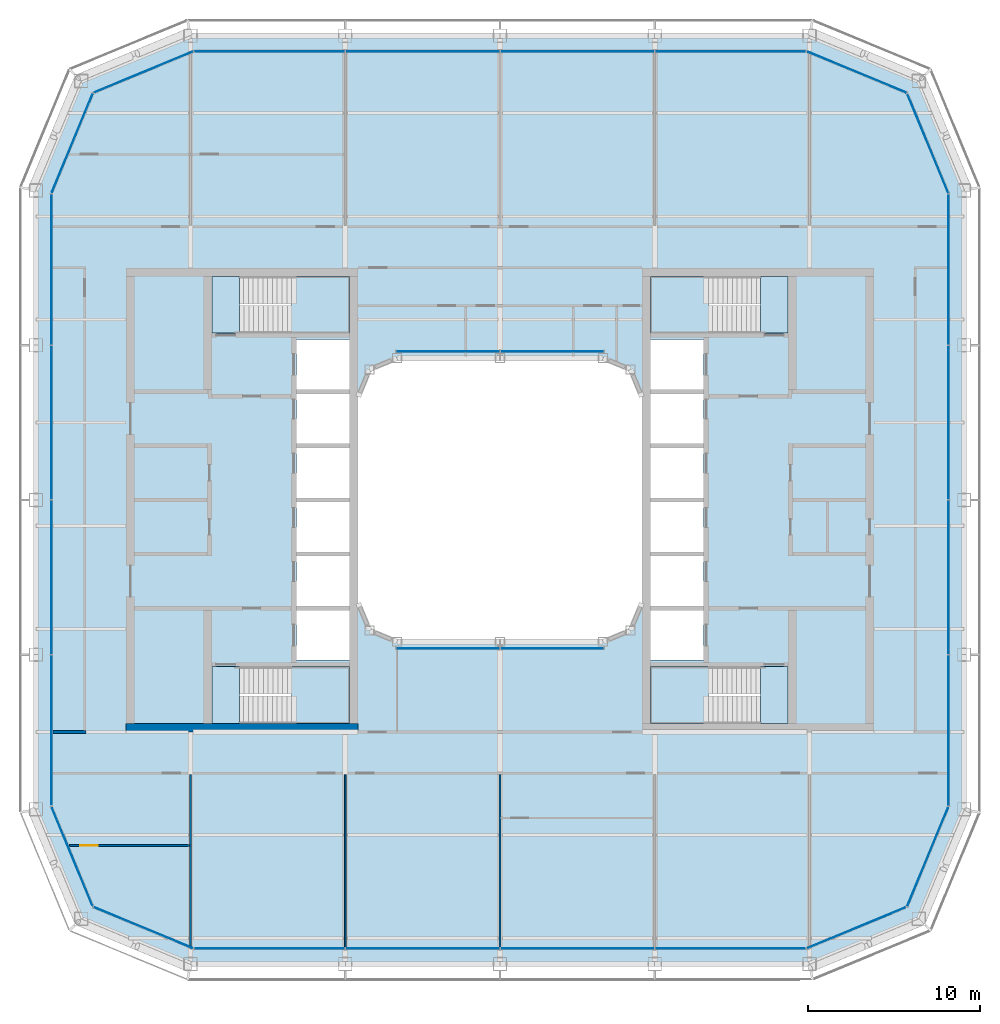
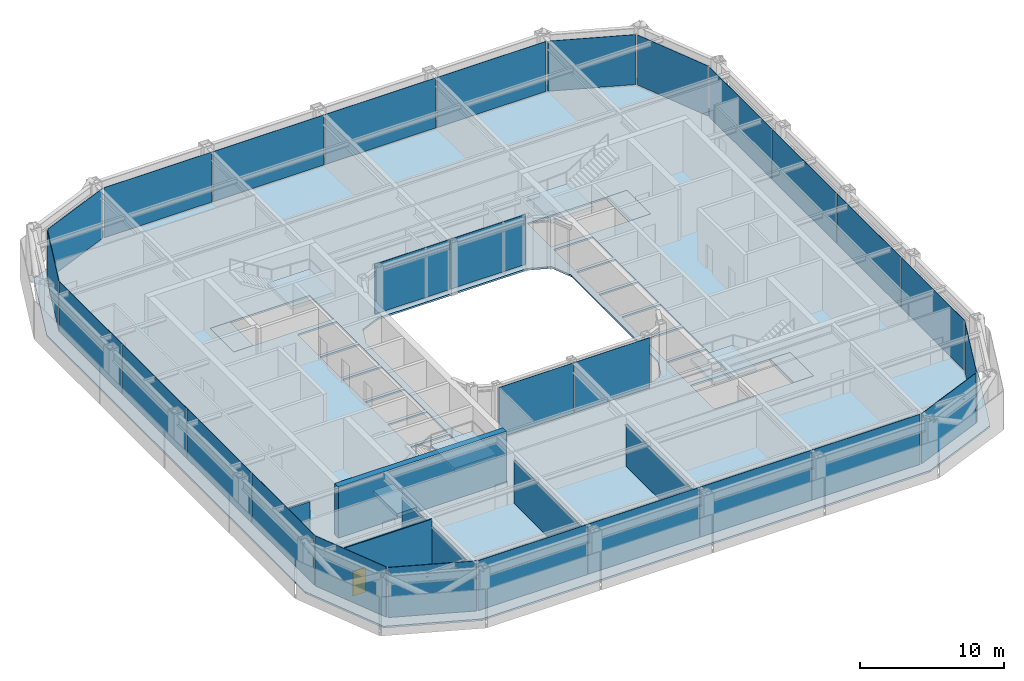
# One storey, part 11 of 19: 28 plates, 9 slabs, 6 walls, 1 door, 1 opening, 18 elements without a shape of their own.
"""IFC4 building model written with IfcOpenShell, lengths in metres."""

from ifc_helpers import new_model, si_unit, direction, frame, frame_2d, origin, origin_2d, place, context, subcontext, project, spatial, polyline, rectangle, outline, extrude, material, layer, layer_set, type_object, element, fill, aggregate, save


model = new_model("IFC4")

# Units and contexts
model_context = context("Model", 3, precision=1e-05, world=origin(), true_north=direction((0.0, 1.0)))
body_context = subcontext(model_context, "Body", "Model", "MODEL_VIEW")
ifc_project = project(units=[si_unit("LENGTHUNIT", "METRE"), si_unit("AREAUNIT", "SQUARE_METRE"), si_unit("VOLUMEUNIT", "CUBIC_METRE"), si_unit("PLANEANGLEUNIT", "RADIAN"), si_unit("MASSUNIT", "GRAM", prefix="KILO")], contexts=[model_context])

# Site, building, storey
site_placement = place(None, origin())
site = spatial("IfcSite", under=ifc_project, at=site_placement, CompositionType="ELEMENT")
building_placement = place(site_placement, origin())
building = spatial("IfcBuilding", under=site, at=building_placement, Name="Siwar Civic Tower", CompositionType="ELEMENT")
storey_placement = place(building_placement, frame((0.0, 0.0, 246.699951171875)))
storey = spatial("IfcBuildingStorey", under=building, at=storey_placement, Name="L53", CompositionType="ELEMENT", Elevation=246.699951171875)

# Stair, slabs
ifc_material_1 = material(Name="Concrete C40/50", Category="concrete")
stair_type = type_object("IfcStairType", Name="CORE-STAIR", PredefinedType="TWO_STRAIGHT_RUN_STAIR", material=ifc_material_1)
stair_1_placement = place(storey_placement, origin())
stair_1 = element("IfcStair", 1, at=stair_1_placement, inside=storey, type_object=stair_type, Name="Exit stair ST1", PredefinedType="TWO_STRAIGHT_RUN_STAIR")
ifc_material_2 = material(Name="Concrete C40/50", Category="concrete")
ifc_layer_1 = layer(ifc_material_2, 0.300048828125)
ifc_layer_set_1 = layer_set([ifc_layer_1], Name="Concrete C40/50")
slab_type_1 = type_object("IfcSlabType", Name="CORE-STAIR-LANDING", PredefinedType="LANDING", material=ifc_layer_set_1)
slab_1_placement = place(storey_placement, frame((0.0, 0.0, -0.300048828125)))
slab_1 = element("IfcSlab", 2, at=slab_1_placement, type_object=slab_type_1, Name="ST1 landing 1", PredefinedType="LANDING", context=body_context, shape_type="SweptSolid", body=[
    extrude(outline(polyline([(-15.14990234375, 13.0), (-16.75, 13.0), (-16.75, 9.699951171875), (-15.14990234375, 9.699951171875), (-15.14990234375, 13.0)])), origin(), (0.0, 0.0, 1.0), 0.300048828125),
])
slab_2_placement = place(storey_placement, frame((0.0, 0.0, 1.949951171875)))
slab_2 = element("IfcSlab", 3, at=slab_2_placement, type_object=slab_type_1, Name="ST1 landing 2", PredefinedType="LANDING", context=body_context, shape_type="SweptSolid", body=[
    extrude(outline(polyline([(-8.75, 13.0), (-12.139892578125, 13.0), (-12.139892578125, 9.699951171875), (-8.75, 9.699951171875), (-8.75, 13.0)])), origin(), (0.0, 0.0, 1.0), 0.300048828125),
])
aggregate(stair_1, [slab_1, slab_2])

stair_2_placement = place(storey_placement, origin())
stair_2 = element("IfcStair", 4, at=stair_2_placement, inside=storey, type_object=stair_type, Name="Exit stair ST2", PredefinedType="TWO_STRAIGHT_RUN_STAIR")
slab_3_placement = place(storey_placement, frame((0.0, 0.0, -0.300048828125)))
slab_3 = element("IfcSlab", 5, at=slab_3_placement, type_object=slab_type_1, Name="ST2 landing 1", PredefinedType="LANDING", context=body_context, shape_type="SweptSolid", body=[
    extrude(outline(polyline([(-15.14990234375, -9.699951171875), (-16.75, -9.699951171875), (-16.75, -13.0), (-15.14990234375, -13.0), (-15.14990234375, -9.699951171875)])), origin(), (0.0, 0.0, 1.0), 0.300048828125),
])
slab_4_placement = place(storey_placement, frame((0.0, 0.0, 1.949951171875)))
slab_4 = element("IfcSlab", 6, at=slab_4_placement, type_object=slab_type_1, Name="ST2 landing 2", PredefinedType="LANDING", context=body_context, shape_type="SweptSolid", body=[
    extrude(outline(polyline([(-8.75, -9.699951171875), (-12.139892578125, -9.699951171875), (-12.139892578125, -13.0), (-8.75, -13.0), (-8.75, -9.699951171875)])), origin(), (0.0, 0.0, 1.0), 0.300048828125),
])
aggregate(stair_2, [slab_3, slab_4])

stair_3_placement = place(storey_placement, origin())
stair_3 = element("IfcStair", 7, at=stair_3_placement, inside=storey, type_object=stair_type, Name="Exit stair ST3", PredefinedType="TWO_STRAIGHT_RUN_STAIR")
slab_5_placement = place(storey_placement, frame((0.0, 0.0, -0.300048828125)))
slab_5 = element("IfcSlab", 8, at=slab_5_placement, type_object=slab_type_1, Name="ST3 landing 1", PredefinedType="LANDING", context=body_context, shape_type="SweptSolid", body=[
    extrude(outline(polyline([(15.14990234375, 9.699951171875), (16.75, 9.699951171875), (16.75, 13.0), (15.14990234375, 13.0), (15.14990234375, 9.699951171875)])), origin(), (0.0, 0.0, 1.0), 0.300048828125),
])
slab_6_placement = place(storey_placement, frame((0.0, 0.0, 1.949951171875)))
slab_6 = element("IfcSlab", 9, at=slab_6_placement, type_object=slab_type_1, Name="ST3 landing 2", PredefinedType="LANDING", context=body_context, shape_type="SweptSolid", body=[
    extrude(outline(polyline([(8.75, 9.699951171875), (12.139892578125, 9.699951171875), (12.139892578125, 13.0), (8.75, 13.0), (8.75, 9.699951171875)])), origin(), (0.0, 0.0, 1.0), 0.300048828125),
])
aggregate(stair_3, [slab_5, slab_6])

stair_4_placement = place(storey_placement, origin())
stair_4 = element("IfcStair", 10, at=stair_4_placement, inside=storey, type_object=stair_type, Name="Exit stair ST4", PredefinedType="TWO_STRAIGHT_RUN_STAIR")
slab_7_placement = place(storey_placement, frame((0.0, 0.0, -0.300048828125)))
slab_7 = element("IfcSlab", 11, at=slab_7_placement, type_object=slab_type_1, Name="ST4 landing 1", PredefinedType="LANDING", context=body_context, shape_type="SweptSolid", body=[
    extrude(outline(polyline([(15.14990234375, -13.0), (16.75, -13.0), (16.75, -9.699951171875), (15.14990234375, -9.699951171875), (15.14990234375, -13.0)])), origin(), (0.0, 0.0, 1.0), 0.300048828125),
])
slab_8_placement = place(storey_placement, frame((0.0, 0.0, 1.949951171875)))
slab_8 = element("IfcSlab", 12, at=slab_8_placement, type_object=slab_type_1, Name="ST4 landing 2", PredefinedType="LANDING", context=body_context, shape_type="SweptSolid", body=[
    extrude(outline(polyline([(8.75, -13.0), (12.139892578125, -13.0), (12.139892578125, -9.699951171875), (8.75, -9.699951171875), (8.75, -13.0)])), origin(), (0.0, 0.0, 1.0), 0.300048828125),
])
aggregate(stair_4, [slab_7, slab_8])

# Curtain wall, plates
ifc_material_3 = material(Name="Aluminium and glass", Category="aluminium")
ifc_layer_2 = layer(ifc_material_3, 0.179931640625)
ifc_layer_set_2 = layer_set([ifc_layer_2], Name="Aluminium and glass")
curtain_wall_type_1 = type_object("IfcCurtainWallType", Name="ENV-CW-C", PredefinedType="NOTDEFINED", material=ifc_layer_set_2)
curtain_wall_1_placement = place(storey_placement, origin())
curtain_wall_1 = element("IfcCurtainWall", 13, at=curtain_wall_1_placement, inside=storey, type_object=curtain_wall_type_1, Name="Curtain wall C S", PredefinedType="NOTDEFINED")
ifc_material_4 = material(Name="Glass clear laminated", Category="glass")
ifc_layer_3 = layer(ifc_material_4, 0.031982421875)
ifc_layer_set_3 = layer_set([ifc_layer_3], Name="Glass clear laminated")
plate_type_1 = type_object("IfcPlateType", Name="ENV-PANEL-C", PredefinedType="CURTAIN_PANEL", material=ifc_layer_set_3)
plate_1_placement = place(storey_placement, frame((-13.410400390625, -26.10009765625, 0.10009765625), z_axis=(0.0, 0.0, 1.0), x_axis=(1.0, 0.0, 0.0)))
plate_1 = element("IfcPlate", 14, at=plate_1_placement, type_object=plate_type_1, Name="Curtain panel C S 1", PredefinedType="CURTAIN_PANEL", context=body_context, shape_type="SweptSolid", body=[
    extrude(rectangle(XDim=8.760986328125, YDim=0.031982421875, at=origin_2d()), origin(), (0.0, 0.0, 1.0), 4.25),
])
plate_2_placement = place(storey_placement, frame((-4.5, -26.10009765625, 0.10009765625), z_axis=(0.0, 0.0, 1.0), x_axis=(1.0, 0.0, 0.0)))
plate_2 = element("IfcPlate", 15, at=plate_2_placement, type_object=plate_type_1, Name="Curtain panel C S 2", PredefinedType="CURTAIN_PANEL", context=body_context, shape_type="SweptSolid", body=[
    extrude(rectangle(XDim=8.93994140625, YDim=0.031982421875, at=origin_2d()), origin(), (0.0, 0.0, 1.0), 4.25),
])
plate_3_placement = place(storey_placement, frame((4.5, -26.10009765625, 0.10009765625), z_axis=(0.0, 0.0, 1.0), x_axis=(1.0, 0.0, 0.0)))
plate_3 = element("IfcPlate", 16, at=plate_3_placement, type_object=plate_type_1, Name="Curtain panel C S 3", PredefinedType="CURTAIN_PANEL", context=body_context, shape_type="SweptSolid", body=[
    extrude(rectangle(XDim=8.93994140625, YDim=0.031982421875, at=origin_2d()), origin(), (0.0, 0.0, 1.0), 4.25),
])
plate_4_placement = place(storey_placement, frame((13.373046875, -26.10009765625, 0.10009765625), z_axis=(0.0, 0.0, 1.0), x_axis=(1.0, 0.0, 0.0)))
plate_4 = element("IfcPlate", 17, at=plate_4_placement, type_object=plate_type_1, Name="Curtain panel C S 4", PredefinedType="CURTAIN_PANEL", context=body_context, shape_type="SweptSolid", body=[
    extrude(rectangle(XDim=8.68603515625, YDim=0.031982421875, at=origin_2d()), origin(), (0.0, 0.0, 1.0), 4.25),
])
aggregate(curtain_wall_1, [plate_1, plate_2, plate_3, plate_4])

curtain_wall_2_placement = place(storey_placement, origin())
curtain_wall_2 = element("IfcCurtainWall", 18, at=curtain_wall_2_placement, inside=storey, type_object=curtain_wall_type_1, Name="Curtain wall C E", PredefinedType="NOTDEFINED")
plate_5_placement = place(storey_placement, frame((26.10009765625, -13.410400390625, 0.10009765625), z_axis=(0.0, 0.0, 1.0), x_axis=(0.0, 1.0, 0.0)))
plate_5 = element("IfcPlate", 19, at=plate_5_placement, type_object=plate_type_1, Name="Curtain panel C E 1", PredefinedType="CURTAIN_PANEL", context=body_context, shape_type="SweptSolid", body=[
    extrude(rectangle(XDim=8.760986328125, YDim=0.031982421875, at=origin_2d()), origin(), (0.0, 0.0, 1.0), 4.25),
])
plate_6_placement = place(storey_placement, frame((26.10009765625, -4.5, 0.10009765625), z_axis=(0.0, 0.0, 1.0), x_axis=(0.0, 1.0, 0.0)))
plate_6 = element("IfcPlate", 20, at=plate_6_placement, type_object=plate_type_1, Name="Curtain panel C E 2", PredefinedType="CURTAIN_PANEL", context=body_context, shape_type="SweptSolid", body=[
    extrude(rectangle(XDim=8.93994140625, YDim=0.031982421875, at=origin_2d()), origin(), (0.0, 0.0, 1.0), 4.25),
])
plate_7_placement = place(storey_placement, frame((26.10009765625, 4.5, 0.10009765625), z_axis=(0.0, 0.0, 1.0), x_axis=(0.0, 1.0, 0.0)))
plate_7 = element("IfcPlate", 21, at=plate_7_placement, type_object=plate_type_1, Name="Curtain panel C E 3", PredefinedType="CURTAIN_PANEL", context=body_context, shape_type="SweptSolid", body=[
    extrude(rectangle(XDim=8.93994140625, YDim=0.031982421875, at=origin_2d()), origin(), (0.0, 0.0, 1.0), 4.25),
])
plate_8_placement = place(storey_placement, frame((26.10009765625, 13.373046875, 0.10009765625), z_axis=(0.0, 0.0, 1.0), x_axis=(0.0, 1.0, 0.0)))
plate_8 = element("IfcPlate", 22, at=plate_8_placement, type_object=plate_type_1, Name="Curtain panel C E 4", PredefinedType="CURTAIN_PANEL", context=body_context, shape_type="SweptSolid", body=[
    extrude(rectangle(XDim=8.68603515625, YDim=0.031982421875, at=origin_2d()), origin(), (0.0, 0.0, 1.0), 4.25),
])
aggregate(curtain_wall_2, [plate_5, plate_6, plate_7, plate_8])

curtain_wall_3_placement = place(storey_placement, origin())
curtain_wall_3 = element("IfcCurtainWall", 23, at=curtain_wall_3_placement, inside=storey, type_object=curtain_wall_type_1, Name="Curtain wall C N", PredefinedType="NOTDEFINED")
plate_9_placement = place(storey_placement, frame((13.410400390625, 26.10009765625, 0.10009765625), z_axis=(0.0, 0.0, 1.0), x_axis=(-1.0, 0.0, 0.0)))
plate_9 = element("IfcPlate", 24, at=plate_9_placement, type_object=plate_type_1, Name="Curtain panel C N 1", PredefinedType="CURTAIN_PANEL", context=body_context, shape_type="SweptSolid", body=[
    extrude(rectangle(XDim=8.760986328125, YDim=0.031982421875, at=origin_2d()), origin(), (0.0, 0.0, 1.0), 4.25),
])
plate_10_placement = place(storey_placement, frame((4.5, 26.10009765625, 0.10009765625), z_axis=(0.0, 0.0, 1.0), x_axis=(-1.0, 0.0, 0.0)))
plate_10 = element("IfcPlate", 25, at=plate_10_placement, type_object=plate_type_1, Name="Curtain panel C N 2", PredefinedType="CURTAIN_PANEL", context=body_context, shape_type="SweptSolid", body=[
    extrude(rectangle(XDim=8.93994140625, YDim=0.031982421875, at=origin_2d()), origin(), (0.0, 0.0, 1.0), 4.25),
])
plate_11_placement = place(storey_placement, frame((-4.5, 26.10009765625, 0.10009765625), z_axis=(0.0, 0.0, 1.0), x_axis=(-1.0, 0.0, 0.0)))
plate_11 = element("IfcPlate", 26, at=plate_11_placement, type_object=plate_type_1, Name="Curtain panel C N 3", PredefinedType="CURTAIN_PANEL", context=body_context, shape_type="SweptSolid", body=[
    extrude(rectangle(XDim=8.93994140625, YDim=0.031982421875, at=origin_2d()), origin(), (0.0, 0.0, 1.0), 4.25),
])
plate_12_placement = place(storey_placement, frame((-13.373046875, 26.10009765625, 0.10009765625), z_axis=(0.0, 0.0, 1.0), x_axis=(-1.0, 0.0, 0.0)))
plate_12 = element("IfcPlate", 27, at=plate_12_placement, type_object=plate_type_1, Name="Curtain panel C N 4", PredefinedType="CURTAIN_PANEL", context=body_context, shape_type="SweptSolid", body=[
    extrude(rectangle(XDim=8.68603515625, YDim=0.031982421875, at=origin_2d()), origin(), (0.0, 0.0, 1.0), 4.25),
])
aggregate(curtain_wall_3, [plate_9, plate_10, plate_11, plate_12])

curtain_wall_4_placement = place(storey_placement, origin())
curtain_wall_4 = element("IfcCurtainWall", 28, at=curtain_wall_4_placement, inside=storey, type_object=curtain_wall_type_1, Name="Curtain wall C W", PredefinedType="NOTDEFINED")
plate_13_placement = place(storey_placement, frame((-26.10009765625, 13.410400390625, 0.10009765625), z_axis=(0.0, 0.0, 1.0), x_axis=(0.0, -1.0, 0.0)))
plate_13 = element("IfcPlate", 29, at=plate_13_placement, type_object=plate_type_1, Name="Curtain panel C W 1", PredefinedType="CURTAIN_PANEL", context=body_context, shape_type="SweptSolid", body=[
    extrude(rectangle(XDim=8.760986328125, YDim=0.031982421875, at=origin_2d()), origin(), (0.0, 0.0, 1.0), 4.25),
])
plate_14_placement = place(storey_placement, frame((-26.10009765625, 4.5, 0.10009765625), z_axis=(0.0, 0.0, 1.0), x_axis=(0.0, -1.0, 0.0)))
plate_14 = element("IfcPlate", 30, at=plate_14_placement, type_object=plate_type_1, Name="Curtain panel C W 2", PredefinedType="CURTAIN_PANEL", context=body_context, shape_type="SweptSolid", body=[
    extrude(rectangle(XDim=8.93994140625, YDim=0.031982421875, at=origin_2d()), origin(), (0.0, 0.0, 1.0), 4.25),
])
plate_15_placement = place(storey_placement, frame((-26.10009765625, -4.5, 0.10009765625), z_axis=(0.0, 0.0, 1.0), x_axis=(0.0, -1.0, 0.0)))
plate_15 = element("IfcPlate", 31, at=plate_15_placement, type_object=plate_type_1, Name="Curtain panel C W 3", PredefinedType="CURTAIN_PANEL", context=body_context, shape_type="SweptSolid", body=[
    extrude(rectangle(XDim=8.93994140625, YDim=0.031982421875, at=origin_2d()), origin(), (0.0, 0.0, 1.0), 4.25),
])
plate_16_placement = place(storey_placement, frame((-26.10009765625, -13.373046875, 0.10009765625), z_axis=(0.0, 0.0, 1.0), x_axis=(0.0, -1.0, 0.0)))
plate_16 = element("IfcPlate", 32, at=plate_16_placement, type_object=plate_type_1, Name="Curtain panel C W 4", PredefinedType="CURTAIN_PANEL", context=body_context, shape_type="SweptSolid", body=[
    extrude(rectangle(XDim=8.68603515625, YDim=0.031982421875, at=origin_2d()), origin(), (0.0, 0.0, 1.0), 4.25),
])
aggregate(curtain_wall_4, [plate_13, plate_14, plate_15, plate_16])

# Curtain wall, plate
ifc_material_5 = material(Name="Aluminium clad insulated panel", Category="aluminium")
ifc_layer_4 = layer(ifc_material_5, 0.179931640625)
ifc_layer_set_4 = layer_set([ifc_layer_4], Name="Aluminium clad insulated panel")
curtain_wall_type_2 = type_object("IfcCurtainWallType", Name="ENV-CW-CX", PredefinedType="NOTDEFINED", material=ifc_layer_set_4)
curtain_wall_5_placement = place(storey_placement, origin())
curtain_wall_5 = element("IfcCurtainWall", 33, at=curtain_wall_5_placement, inside=storey, type_object=curtain_wall_type_2, Name="Curtain wall C SE1", PredefinedType="NOTDEFINED")
ifc_material_6 = material(Name="Aluminium clad insulated panel", Category="aluminium")
ifc_layer_5 = layer(ifc_material_6, 0.031982421875)
ifc_layer_set_5 = layer_set([ifc_layer_5], Name="Aluminium clad insulated panel")
plate_type_2 = type_object("IfcPlateType", Name="ENV-PANEL-CX", PredefinedType="CURTAIN_PANEL", material=ifc_layer_set_5)
plate_17_placement = place(storey_placement, frame((20.71337890625, -24.90185546875, 0.10009765625), z_axis=(0.0, 0.0, 1.0), x_axis=(0.923879532511, 0.382683432365, 0.0)))
plate_17 = element("IfcPlate", 34, at=plate_17_placement, type_object=plate_type_2, Name="Curtain panel C SE1 1", PredefinedType="CURTAIN_PANEL", context=body_context, shape_type="SweptSolid", body=[
    extrude(rectangle(XDim=6.20166015625, YDim=0.031982421875, at=origin_2d()), origin(), (0.0, 0.0, 1.0), 4.25),
])
aggregate(curtain_wall_5, [plate_17])

curtain_wall_6_placement = place(storey_placement, origin())
curtain_wall_6 = element("IfcCurtainWall", 35, at=curtain_wall_6_placement, inside=storey, type_object=curtain_wall_type_2, Name="Curtain wall C SE2", PredefinedType="NOTDEFINED")
plate_18_placement = place(storey_placement, frame((24.873291015625, -20.78271484375, 0.10009765625), z_axis=(0.0, 0.0, 1.0), x_axis=(0.382683432365, 0.923879532511, 0.0)))
plate_18 = element("IfcPlate", 36, at=plate_18_placement, type_object=plate_type_2, Name="Curtain panel C SE2 1", PredefinedType="CURTAIN_PANEL", context=body_context, shape_type="SweptSolid", body=[
    extrude(rectangle(XDim=6.20166015625, YDim=0.031982421875, at=origin_2d()), origin(), (0.0, 0.0, 1.0), 4.25),
])
aggregate(curtain_wall_6, [plate_18])

curtain_wall_7_placement = place(storey_placement, origin())
curtain_wall_7 = element("IfcCurtainWall", 37, at=curtain_wall_7_placement, inside=storey, type_object=curtain_wall_type_2, Name="Curtain wall C NE1", PredefinedType="NOTDEFINED")
plate_19_placement = place(storey_placement, frame((24.90185546875, 20.71337890625, 0.10009765625), z_axis=(0.0, 0.0, 1.0), x_axis=(-0.382683432365, 0.923879532511, 0.0)))
plate_19 = element("IfcPlate", 38, at=plate_19_placement, type_object=plate_type_2, Name="Curtain panel C NE1 1", PredefinedType="CURTAIN_PANEL", context=body_context, shape_type="SweptSolid", body=[
    extrude(rectangle(XDim=6.20166015625, YDim=0.031982421875, at=origin_2d()), origin(), (0.0, 0.0, 1.0), 4.25),
])
aggregate(curtain_wall_7, [plate_19])

curtain_wall_8_placement = place(storey_placement, origin())
curtain_wall_8 = element("IfcCurtainWall", 39, at=curtain_wall_8_placement, inside=storey, type_object=curtain_wall_type_2, Name="Curtain wall C NE2", PredefinedType="NOTDEFINED")
plate_20_placement = place(storey_placement, frame((20.78271484375, 24.873291015625, 0.10009765625), z_axis=(0.0, 0.0, 1.0), x_axis=(-0.923879532511, 0.382683432365, 0.0)))
plate_20 = element("IfcPlate", 40, at=plate_20_placement, type_object=plate_type_2, Name="Curtain panel C NE2 1", PredefinedType="CURTAIN_PANEL", context=body_context, shape_type="SweptSolid", body=[
    extrude(rectangle(XDim=6.20166015625, YDim=0.031982421875, at=origin_2d()), origin(), (0.0, 0.0, 1.0), 4.25),
])
aggregate(curtain_wall_8, [plate_20])

curtain_wall_9_placement = place(storey_placement, origin())
curtain_wall_9 = element("IfcCurtainWall", 41, at=curtain_wall_9_placement, inside=storey, type_object=curtain_wall_type_2, Name="Curtain wall C NW1", PredefinedType="NOTDEFINED")
plate_21_placement = place(storey_placement, frame((-20.71337890625, 24.90185546875, 0.10009765625), z_axis=(0.0, 0.0, 1.0), x_axis=(-0.923879532511, -0.382683432365, 0.0)))
plate_21 = element("IfcPlate", 42, at=plate_21_placement, type_object=plate_type_2, Name="Curtain panel C NW1 1", PredefinedType="CURTAIN_PANEL", context=body_context, shape_type="SweptSolid", body=[
    extrude(rectangle(XDim=6.20166015625, YDim=0.031982421875, at=origin_2d()), origin(), (0.0, 0.0, 1.0), 4.25),
])
aggregate(curtain_wall_9, [plate_21])

curtain_wall_10_placement = place(storey_placement, origin())
curtain_wall_10 = element("IfcCurtainWall", 43, at=curtain_wall_10_placement, inside=storey, type_object=curtain_wall_type_2, Name="Curtain wall C NW2", PredefinedType="NOTDEFINED")
plate_22_placement = place(storey_placement, frame((-24.873291015625, 20.78271484375, 0.10009765625), z_axis=(0.0, 0.0, 1.0), x_axis=(-0.382683432365, -0.923879532511, 0.0)))
plate_22 = element("IfcPlate", 44, at=plate_22_placement, type_object=plate_type_2, Name="Curtain panel C NW2 1", PredefinedType="CURTAIN_PANEL", context=body_context, shape_type="SweptSolid", body=[
    extrude(rectangle(XDim=6.20166015625, YDim=0.031982421875, at=origin_2d()), origin(), (0.0, 0.0, 1.0), 4.25),
])
aggregate(curtain_wall_10, [plate_22])

curtain_wall_11_placement = place(storey_placement, origin())
curtain_wall_11 = element("IfcCurtainWall", 45, at=curtain_wall_11_placement, inside=storey, type_object=curtain_wall_type_2, Name="Curtain wall C SW1", PredefinedType="NOTDEFINED")
plate_23_placement = place(storey_placement, frame((-24.90185546875, -20.71337890625, 0.10009765625), z_axis=(0.0, 0.0, 1.0), x_axis=(0.382683432365, -0.923879532511, 0.0)))
plate_23 = element("IfcPlate", 46, at=plate_23_placement, type_object=plate_type_2, Name="Curtain panel C SW1 1", PredefinedType="CURTAIN_PANEL", context=body_context, shape_type="SweptSolid", body=[
    extrude(rectangle(XDim=6.20166015625, YDim=0.031982421875, at=origin_2d()), origin(), (0.0, 0.0, 1.0), 4.25),
])
aggregate(curtain_wall_11, [plate_23])

curtain_wall_12_placement = place(storey_placement, origin())
curtain_wall_12 = element("IfcCurtainWall", 47, at=curtain_wall_12_placement, inside=storey, type_object=curtain_wall_type_2, Name="Curtain wall C SW2", PredefinedType="NOTDEFINED")
plate_24_placement = place(storey_placement, frame((-20.78271484375, -24.873291015625, 0.10009765625), z_axis=(0.0, 0.0, 1.0), x_axis=(0.923879532511, -0.382683432365, 0.0)))
plate_24 = element("IfcPlate", 48, at=plate_24_placement, type_object=plate_type_2, Name="Curtain panel C SW2 1", PredefinedType="CURTAIN_PANEL", context=body_context, shape_type="SweptSolid", body=[
    extrude(rectangle(XDim=6.20166015625, YDim=0.031982421875, at=origin_2d()), origin(), (0.0, 0.0, 1.0), 4.25),
])
aggregate(curtain_wall_12, [plate_24])

# Curtain wall, plates
ifc_material_7 = material(Name="Aluminium and glass", Category="aluminium")
ifc_layer_6 = layer(ifc_material_7, 0.179931640625)
ifc_layer_set_6 = layer_set([ifc_layer_6], Name="Aluminium and glass")
curtain_wall_type_3 = type_object("IfcCurtainWallType", Name="ENV-CW-W", PredefinedType="NOTDEFINED", material=ifc_layer_set_6)
curtain_wall_13_placement = place(storey_placement, origin())
curtain_wall_13 = element("IfcCurtainWall", 49, at=curtain_wall_13_placement, inside=storey, type_object=curtain_wall_type_3, Name="Curtain wall W WS", PredefinedType="NOTDEFINED")
ifc_material_8 = material(Name="Glass clear laminated", Category="glass")
ifc_layer_7 = layer(ifc_material_8, 0.031982421875)
ifc_layer_set_7 = layer_set([ifc_layer_7], Name="Glass clear laminated")
plate_type_3 = type_object("IfcPlateType", Name="ENV-PANEL-W", PredefinedType="CURTAIN_PANEL", material=ifc_layer_set_7)
plate_25_placement = place(storey_placement, frame((-3.038330078125, -8.635009765625, 0.10009765625), z_axis=(0.0, 0.0, 1.0), x_axis=(1.0, 0.0, 0.0)))
plate_25 = element("IfcPlate", 50, at=plate_25_placement, type_object=plate_type_3, Name="Curtain panel W WS 1", PredefinedType="CURTAIN_PANEL", context=body_context, shape_type="SweptSolid", body=[
    extrude(rectangle(XDim=6.0166015625, YDim=0.031982421875, at=origin_2d()), origin(), (0.0, 0.0, 1.0), 4.25),
])
plate_26_placement = place(storey_placement, frame((3.038330078125, -8.635009765625, 0.10009765625), z_axis=(0.0, 0.0, 1.0), x_axis=(1.0, 0.0, 0.0)))
plate_26 = element("IfcPlate", 51, at=plate_26_placement, type_object=plate_type_3, Name="Curtain panel W WS 2", PredefinedType="CURTAIN_PANEL", context=body_context, shape_type="SweptSolid", body=[
    extrude(rectangle(XDim=6.0166015625, YDim=0.031982421875, at=origin_2d()), origin(), (0.0, 0.0, 1.0), 4.25),
])
aggregate(curtain_wall_13, [plate_25, plate_26])

curtain_wall_14_placement = place(storey_placement, origin())
curtain_wall_14 = element("IfcCurtainWall", 52, at=curtain_wall_14_placement, inside=storey, type_object=curtain_wall_type_3, Name="Curtain wall W WN", PredefinedType="NOTDEFINED")
plate_27_placement = place(storey_placement, frame((3.038330078125, 8.635009765625, 0.10009765625), z_axis=(0.0, 0.0, 1.0), x_axis=(-1.0, 0.0, 0.0)))
plate_27 = element("IfcPlate", 53, at=plate_27_placement, type_object=plate_type_3, Name="Curtain panel W WN 1", PredefinedType="CURTAIN_PANEL", context=body_context, shape_type="SweptSolid", body=[
    extrude(rectangle(XDim=6.0166015625, YDim=0.031982421875, at=origin_2d()), origin(), (0.0, 0.0, 1.0), 4.25),
])
plate_28_placement = place(storey_placement, frame((-3.038330078125, 8.635009765625, 0.10009765625), z_axis=(0.0, 0.0, 1.0), x_axis=(-1.0, 0.0, 0.0)))
plate_28 = element("IfcPlate", 54, at=plate_28_placement, type_object=plate_type_3, Name="Curtain panel W WN 2", PredefinedType="CURTAIN_PANEL", context=body_context, shape_type="SweptSolid", body=[
    extrude(rectangle(XDim=6.0166015625, YDim=0.031982421875, at=origin_2d()), origin(), (0.0, 0.0, 1.0), 4.25),
])
aggregate(curtain_wall_14, [plate_27, plate_28])

# Slab
ifc_material_9 = material(Name="Concrete C40/50", Category="concrete")
ifc_layer_8 = layer(ifc_material_9, 0.14990234375)
ifc_layer_set_8 = layer_set([ifc_layer_8], Name="Concrete C40/50")
slab_type_2 = type_object("IfcSlabType", Name="STR-FLOOR-DECK-150", PredefinedType="FLOOR", material=ifc_layer_set_8)
slab_9_placement = place(storey_placement, frame((0.0, 0.0, -0.14990234375)))
element("IfcSlab", 55, at=slab_9_placement, inside=storey, type_object=slab_type_2, Name="L53/slab/1", PredefinedType="FLOOR", context=body_context, shape_type="SweptSolid", body=[
    extrude(outline(polyline([(-18.0, -27.0), (18.0, -27.0), (24.364013671875, -24.364013671875), (27.0, -18.0), (27.0, 18.0), (24.364013671875, 24.364013671875), (18.0, 27.0), (-18.0, 27.0), (-24.364013671875, 24.364013671875), (-27.0, 18.0), (-27.0, -18.0), (-24.364013671875, -24.364013671875), (-18.0, -27.0)]), holes=[polyline([(16.75, 13.0), (16.75, 9.699951171875), (8.75, 9.699951171875), (8.75, 13.0), (16.75, 13.0)]), polyline([(8.75, -9.699951171875), (16.75, -9.699951171875), (16.75, -13.0), (8.75, -13.0), (8.75, -9.699951171875)]), polyline([(11.85009765625, 9.324951171875), (11.85009765625, 6.425048828125), (8.75, 6.425048828125), (8.75, 9.324951171875), (11.85009765625, 9.324951171875)]), polyline([(8.75, 6.175048828125), (11.85009765625, 6.175048828125), (11.85009765625, 3.27490234375), (8.75, 3.27490234375), (8.75, 6.175048828125)]), polyline([(8.75, 3.02490234375), (11.85009765625, 3.02490234375), (11.85009765625, 0.125), (8.75, 0.125), (8.75, 3.02490234375)]), polyline([(8.75, -0.125), (11.85009765625, -0.125), (11.85009765625, -3.02490234375), (8.75, -3.02490234375), (8.75, -0.125)]), polyline([(8.75, -3.27490234375), (11.85009765625, -3.27490234375), (11.85009765625, -6.175048828125), (8.75, -6.175048828125), (8.75, -3.27490234375)]), polyline([(8.75, -6.425048828125), (11.85009765625, -6.425048828125), (11.85009765625, -9.324951171875), (8.75, -9.324951171875), (8.75, -6.425048828125)]), polyline([(-6.0, 8.25), (6.0, 8.25), (7.591064453125, 7.591064453125), (8.25, 6.0), (8.25, -6.0), (7.591064453125, -7.591064453125), (6.0, -8.25), (-6.0, -8.25), (-7.591064453125, -7.591064453125), (-8.25, -6.0), (-8.25, 6.0), (-7.591064453125, 7.591064453125), (-6.0, 8.25)]), polyline([(-8.75, -13.0), (-16.75, -13.0), (-16.75, -9.699951171875), (-8.75, -9.699951171875), (-8.75, -13.0)]), polyline([(-8.75, 9.699951171875), (-16.75, 9.699951171875), (-16.75, 13.0), (-8.75, 13.0), (-8.75, 9.699951171875)]), polyline([(-8.75, 6.425048828125), (-11.85009765625, 6.425048828125), (-11.85009765625, 9.324951171875), (-8.75, 9.324951171875), (-8.75, 6.425048828125)]), polyline([(-8.75, 3.27490234375), (-11.85009765625, 3.27490234375), (-11.85009765625, 6.175048828125), (-8.75, 6.175048828125), (-8.75, 3.27490234375)]), polyline([(-8.75, 0.125), (-11.85009765625, 0.125), (-11.85009765625, 3.02490234375), (-8.75, 3.02490234375), (-8.75, 0.125)]), polyline([(-8.75, -3.02490234375), (-11.85009765625, -3.02490234375), (-11.85009765625, -0.125), (-8.75, -0.125), (-8.75, -3.02490234375)]), polyline([(-8.75, -6.175048828125), (-11.85009765625, -6.175048828125), (-11.85009765625, -3.27490234375), (-8.75, -3.27490234375), (-8.75, -6.175048828125)]), polyline([(-8.75, -9.324951171875), (-11.85009765625, -9.324951171875), (-11.85009765625, -6.425048828125), (-8.75, -6.425048828125), (-8.75, -9.324951171875)])]), origin(), (0.0, 0.0, 1.0), 0.14990234375),
])

# Walls
ifc_material_10 = material(Name="Concrete C60/75", Category="concrete")
ifc_layer_9 = layer(ifc_material_10, 0.5)
ifc_layer_set_9 = layer_set([ifc_layer_9], Name="Concrete C60/75")
wall_type_1 = type_object("IfcWallType", Name="CORE-WALL-RC500", PredefinedType="SHEAR", material=ifc_layer_set_9)
wall_1_placement = place(storey_placement, frame((-8.25, -13.25, 0.0), z_axis=(0.0, 0.0, 1.0), x_axis=(-1.0, 0.0, 0.0)))
element("IfcWall", 56, at=wall_1_placement, inside=storey, type_object=wall_type_1, Name="Core wall W", PredefinedType="SHEAR", context=body_context, shape_type="SweptSolid", body=[
    extrude(rectangle(XDim=13.5, YDim=0.5, at=frame_2d((6.75, 0.0))), origin(), (0.0, 0.0, 1.0), 4.35009765625),
])
ifc_material_11 = material(Name="Gypsum board on steel studs", Category="steel")
ifc_layer_10 = layer(ifc_material_11, 0.14990234375)
ifc_layer_set_10 = layer_set([ifc_layer_10], Name="Gypsum board on steel studs")
wall_type_2 = type_object("IfcWallType", Name="CORRIDOR PARTITION 150 EI 30", PredefinedType="PARTITIONING", material=ifc_layer_set_10)
wall_2_placement = place(storey_placement, frame((-26.010009765625, -13.5, 0.0), z_axis=(0.0, 0.0, 1.0), x_axis=(1.0, 0.0, 0.0)))
element("IfcWall", 57, at=wall_2_placement, inside=storey, type_object=wall_type_2, Name="L53/wall/P04", PredefinedType="PARTITIONING", context=body_context, shape_type="SweptSolid", body=[
    extrude(rectangle(XDim=1.93505859375, YDim=0.14990234375, at=frame_2d((0.967529296875, 0.0))), origin(), (0.0, 0.0, 1.0), 3.949951171875),
])

# Wall, opening, door
ifc_material_12 = material(Name="Gypsum board on steel studs", Category="steel")
ifc_layer_11 = layer(ifc_material_12, 0.10009765625)
ifc_layer_set_11 = layer_set([ifc_layer_11], Name="Gypsum board on steel studs")
wall_type_3 = type_object("IfcWallType", Name="PARTITION 100 GYPSUM", PredefinedType="PARTITIONING", material=ifc_layer_set_11)
wall_3_placement = place(storey_placement, frame((-25.05810546875, -20.10009765625, 0.0), z_axis=(0.0, 0.0, 1.0), x_axis=(1.0, 0.0, 0.0)))
wall_3 = element("IfcWall", 58, at=wall_3_placement, inside=storey, type_object=wall_type_3, Name="L53/wall/P01", PredefinedType="PARTITIONING", context=body_context, shape_type="SweptSolid", body=[
    extrude(rectangle(XDim=7.008056640625, YDim=0.10009765625, at=frame_2d((3.50390625, 0.0))), origin(), (0.0, 0.0, 1.0), 4.35009765625),
])
opening_placement = place(wall_3_placement, frame((0.64990234375, 0.0, 0.0)))
opening = element("IfcOpeningElement", 59, at=opening_placement, cuts=wall_3, Name="Opening D2", PredefinedType="OPENING", context=body_context, shape_type="SweptSolid", body=[
    extrude(rectangle(XDim=1.0, YDim=2.10009765625, at=frame_2d((0.5, 1.050048828125))), frame((0.0, 0.06005859375, 0.0), z_axis=(0.0, -1.0, 0.0), x_axis=(1.0, 0.0, 0.0)), (0.0, 0.0, 1.0), 0.1201171875),
])
ifc_material_13 = material(Name="Timber, painted", Category="wood")
door_type = type_object("IfcDoorType", Name="DOOR 1000 X 2100", OperationType="SINGLE_SWING_LEFT", PredefinedType="DOOR", material=ifc_material_13)
door_placement = place(opening_placement, origin())
door = element("IfcDoor", 60, at=door_placement, inside=storey, type_object=door_type, Name="L53-D15", OperationType="SINGLE_SWING_LEFT", OverallHeight=2.10009765625, OverallWidth=1.0, PredefinedType="DOOR", context=body_context, shape_type="SweptSolid", body=[
    extrude(rectangle(XDim=1.0, YDim=2.10009765625, at=frame_2d((0.5, 1.050048828125))), frame((0.0, 0.02490234375, 0.0), z_axis=(0.0, -1.0, 0.0), x_axis=(1.0, 0.0, 0.0)), (0.0, 0.0, 1.0), 0.050048828125),
])
fill(opening, door)

# Walls
wall_4_placement = place(storey_placement, frame((-18.0, -25.927978515625, 0.0), z_axis=(0.0, 0.0, 1.0), x_axis=(0.0, 1.0, 0.0)))
element("IfcWall", 61, at=wall_4_placement, inside=storey, type_object=wall_type_3, Name="L53/wall/P15", PredefinedType="PARTITIONING", context=body_context, shape_type="SweptSolid", body=[
    extrude(rectangle(XDim=9.952880859375, YDim=0.10009765625, at=frame_2d((4.9765625, 0.0))), origin(), (0.0, 0.0, 1.0), 3.650146484375),
])
wall_5_placement = place(storey_placement, frame((-9.0, -26.010009765625, 0.0), z_axis=(0.0, 0.0, 1.0), x_axis=(0.0, 1.0, 0.0)))
element("IfcWall", 62, at=wall_5_placement, inside=storey, type_object=wall_type_3, Name="L53/wall/P18", PredefinedType="PARTITIONING", context=body_context, shape_type="SweptSolid", body=[
    extrude(rectangle(XDim=10.034912109375, YDim=0.10009765625, at=frame_2d((5.017578125, 0.0))), origin(), (0.0, 0.0, 1.0), 3.650146484375),
])
wall_6_placement = place(storey_placement, frame((0.0, -26.010009765625, 0.0), z_axis=(0.0, 0.0, 1.0), x_axis=(0.0, 1.0, 0.0)))
element("IfcWall", 63, at=wall_6_placement, inside=storey, type_object=wall_type_3, Name="L53/wall/P22", PredefinedType="PARTITIONING", context=body_context, shape_type="SweptSolid", body=[
    extrude(rectangle(XDim=10.034912109375, YDim=0.10009765625, at=frame_2d((5.017578125, 0.0))), origin(), (0.0, 0.0, 1.0), 3.550048828125),
])

save(model, "model.ifc")
